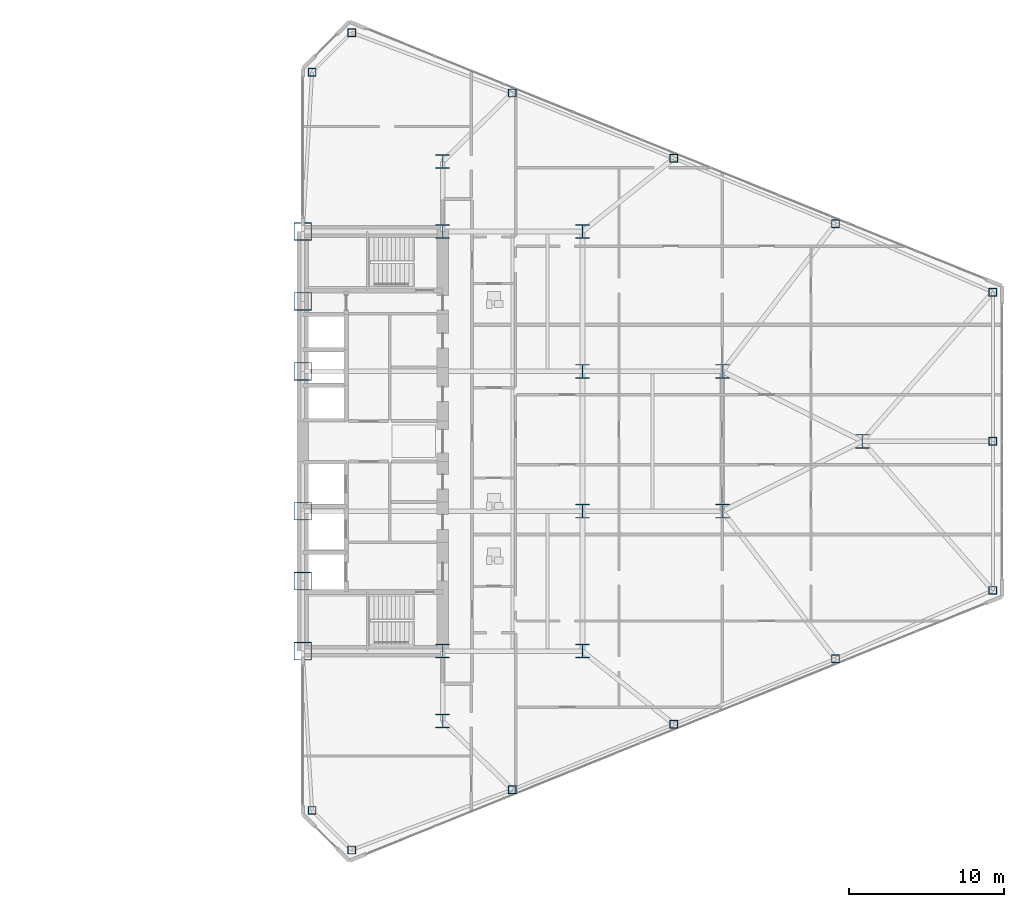
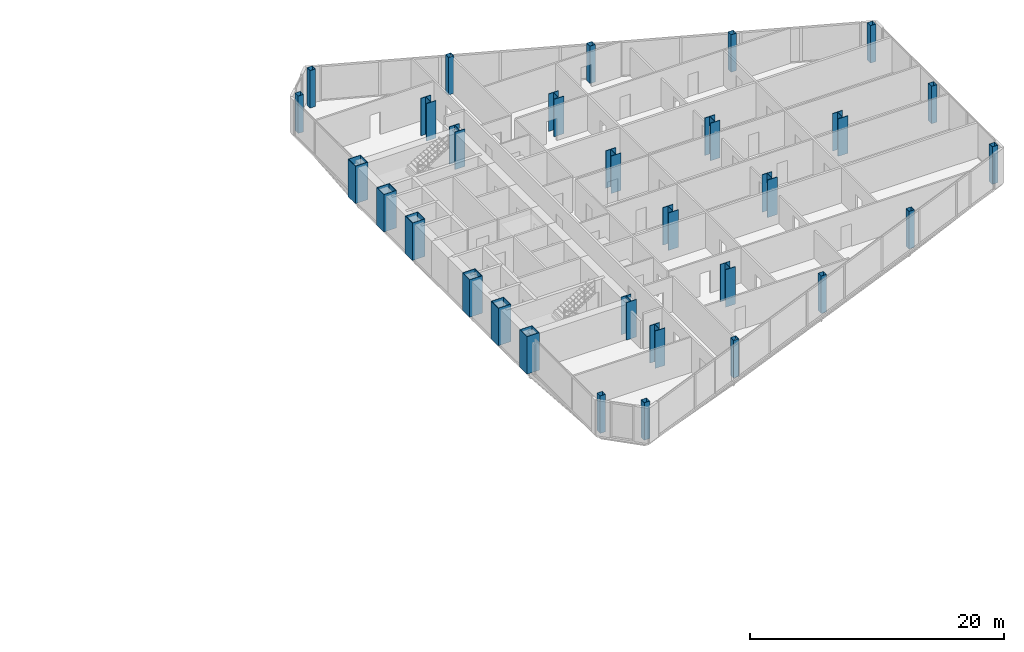
# One storey, part 2 of 25: 30 columns.
"""IFC4 building model written with IfcOpenShell, lengths in metres."""

import ifcopenshell
import ifcopenshell.guid

model = None  # the IFC model being written
_history = None  # IfcOwnerHistory: only IFC2X3 demands one
_inside = {}  # id of a spatial element -> (the spatial element, [elements in it])
_under = {}  # id of a project, library or spatial element -> (it, [spatial elements below it])
_declared = {}  # id of a project -> (the project, [libraries it declares])
_typed = {}  # id of a type object -> (the type object, [elements of that type])
_made_of = {}  # id of a material, layer set ... -> (it, [elements and type objects made of it])


def new_model(schema):
    """Start an empty IFC model of exactly this schema.

    Asked for "IFC4X3", IfcOpenShell would pick the latest addendum, in which some entities
    have other attributes; the version numbers below select the first issue.
    IFC2X3 requires an IfcOwnerHistory on every rooted entity: one is made here for all.
    """
    global model, _history
    if schema == "IFC4X3":
        model = ifcopenshell.file(schema_version=(4, 3, 0, 0))
    else:
        model = ifcopenshell.file(schema=schema)
    _inside.clear()
    _under.clear()
    _declared.clear()
    _typed.clear()
    _made_of.clear()
    _history = None
    if model.schema == "IFC2X3":
        org = make("IfcOrganization", Name="unknown")
        user = make(
            "IfcPersonAndOrganization",
            ThePerson=make("IfcPerson", FamilyName="unknown"),
            TheOrganization=org,
        )
        app = make(
            "IfcApplication",
            ApplicationDeveloper=org,
            Version="unknown",
            ApplicationFullName="unknown",
            ApplicationIdentifier="unknown",
        )
        _history = make(
            "IfcOwnerHistory",
            OwningUser=user,
            OwningApplication=app,
            ChangeAction="ADDED",
            CreationDate=0,
        )
    return model


def make(cls, **values):
    """One entity of the class cls with the attributes given. An attribute that is None is left unset."""
    return model.create_entity(
        cls, **{name: value for name, value in values.items() if value is not None}
    )


def rooted(cls, **values):
    """An entity with a GlobalId (a new one), such as an element, a storey or a relation."""
    return make(cls, GlobalId=ifcopenshell.guid.new(), OwnerHistory=_history, **values)


def si_unit(unit_type, name, prefix=None):
    """IfcSIUnit, for example si_unit("LENGTHUNIT", "METRE", prefix="MILLI")."""
    return make("IfcSIUnit", UnitType=unit_type, Prefix=prefix, Name=name)


def assignment(units):
    """IfcUnitAssignment: the units of a project."""
    return None if units is None else make("IfcUnitAssignment", Units=units)


def point(xyz):
    """IfcCartesianPoint."""
    return None if xyz is None else make("IfcCartesianPoint", Coordinates=xyz)


def direction(xyz):
    """IfcDirection."""
    return None if xyz is None else make("IfcDirection", DirectionRatios=xyz)


def frame(location, z_axis=None, x_axis=None):
    """IfcAxis2Placement3D, a coordinate frame: its origin and axes. An axis left out is left unset."""
    return make(
        "IfcAxis2Placement3D",
        Location=point(location),
        Axis=direction(z_axis),
        RefDirection=direction(x_axis),
    )


def frame_2d(location, x_axis=None):
    """IfcAxis2Placement2D, a coordinate frame in the plane: its origin and x axis."""
    return make(
        "IfcAxis2Placement2D", Location=point(location), RefDirection=direction(x_axis)
    )


def origin():
    """The frame at (0, 0, 0) with its axes left unset."""
    return frame((0.0, 0.0, 0.0))


def origin_2d():
    """The frame at (0, 0) in the plane with its x axis left unset."""
    return frame_2d((0.0, 0.0))


def place(relative_to, where):
    """IfcLocalPlacement: puts the frame where relative to a parent placement (None: the world)."""
    return make(
        "IfcLocalPlacement", PlacementRelTo=relative_to, RelativePlacement=where
    )


def context(
    kind, dimensions, precision=None, world=None, true_north=None, identifier=None
):
    """IfcGeometricRepresentationContext, for example the 3D "Model" context."""
    return make(
        "IfcGeometricRepresentationContext",
        ContextIdentifier=identifier,
        ContextType=kind,
        CoordinateSpaceDimension=dimensions,
        Precision=precision,
        WorldCoordinateSystem=world,
        TrueNorth=true_north,
    )


def subcontext(parent, identifier, kind, view, scale=None):
    """IfcGeometricRepresentationSubContext, for example "Body" below "Model"."""
    return make(
        "IfcGeometricRepresentationSubContext",
        ContextIdentifier=identifier,
        ContextType=kind,
        ParentContext=parent,
        TargetScale=scale,
        TargetView=view,
    )


def project(units=None, contexts=None):
    """IfcProject with its units and contexts."""
    return rooted(
        "IfcProject",
        Name="project",
        RepresentationContexts=contexts,
        UnitsInContext=assignment(units),
    )


def spatial(cls, under=None, at=None, **own):
    """A site, building, storey or space (cls), placed at a placement, below another one or the project."""
    s = rooted(cls, ObjectPlacement=at, **own)
    if under is not None:
        _under.setdefault(under.id(), (under, []))[1].append(s)
    return s


def profile(cls, at=None, kind="AREA", **sizes):
    """A parametric profile (cls). Its sizes go by their IFC names, for example OverallWidth=200.0."""
    return make(cls, ProfileType=kind, Position=at, **sizes)


def hollow_rectangle(**sizes):
    """IfcRectangleHollowProfileDef."""
    return profile("IfcRectangleHollowProfileDef", **sizes)


def i_section(**sizes):
    """IfcIShapeProfileDef."""
    return profile("IfcIShapeProfileDef", **sizes)


def extrude(swept, where, along, depth):
    """IfcExtrudedAreaSolid: the profile swept, set in the frame where, extruded along a direction by depth."""
    return make(
        "IfcExtrudedAreaSolid",
        SweptArea=swept,
        Position=where,
        ExtrudedDirection=direction(along),
        Depth=depth,
    )


def shape(context_of_items, identifier, shape_type, items):
    """IfcShapeRepresentation: the items that make up one representation, for example the "Body"."""
    return make(
        "IfcShapeRepresentation",
        ContextOfItems=context_of_items,
        RepresentationIdentifier=identifier,
        RepresentationType=shape_type,
        Items=items,
    )


def source(mapping_origin, context_of_items, identifier, shape_type, items):
    """IfcRepresentationMap: a shape defined once, which mapped items show again and again."""
    return make(
        "IfcRepresentationMap",
        MappingOrigin=mapping_origin,
        MappedRepresentation=shape(context_of_items, identifier, shape_type, items),
    )


def transform(
    local_origin,
    x_axis=None,
    y_axis=None,
    z_axis=None,
    scale=None,
    scale2=None,
    scale3=None,
    uniform=True,
):
    """IfcCartesianTransformationOperator3D, or its non-uniform kind. x_axis, y_axis, z_axis: its Axis1, 2, 3."""
    if uniform:
        return make(
            "IfcCartesianTransformationOperator3D",
            Axis1=direction(x_axis),
            Axis2=direction(y_axis),
            LocalOrigin=point(local_origin),
            Scale=scale,
            Axis3=direction(z_axis),
        )
    return make(
        "IfcCartesianTransformationOperator3DnonUniform",
        Axis1=direction(x_axis),
        Axis2=direction(y_axis),
        LocalOrigin=point(local_origin),
        Scale=scale,
        Axis3=direction(z_axis),
        Scale2=scale2,
        Scale3=scale3,
    )


def mapped(mapping_source, mapping_target):
    """IfcMappedItem: shows the shape of a source again, moved by a transform."""
    return make(
        "IfcMappedItem", MappingSource=mapping_source, MappingTarget=mapping_target
    )


def material(Name=None, Category=None):
    """IfcMaterial."""
    return make("IfcMaterial", Name=Name, Category=Category)


def material_profile(
    of_material, cross_section, Name=None, Category=None, Priority=None
):
    """IfcMaterialProfile: a cross section and its material."""
    return make(
        "IfcMaterialProfile",
        Name=Name,
        Material=of_material,
        Profile=cross_section,
        Priority=Priority,
        Category=Category,
    )


def profile_set(profiles, Name=None, composite=None):
    """IfcMaterialProfileSet."""
    return make(
        "IfcMaterialProfileSet",
        Name=Name,
        MaterialProfiles=profiles,
        CompositeProfile=composite,
    )


def made_of(thing, what):
    """Note that an element or type object is made of a material, layer set ...; save() writes the relation."""
    if what is not None:
        _made_of.setdefault(what.id(), (what, []))[1].append(thing)
    return thing


def type_object(cls, material=None, **own):
    """A type object (cls), such as IfcWallType, which elements share."""
    return made_of(rooted(cls, **own), material)


def type_shapes(of_type, sources):
    """Give a type object the sources (RepresentationMaps) that its elements show as mapped items."""
    of_type.RepresentationMaps = sources


def element(
    cls,
    number,
    at=None,
    inside=None,
    cuts=None,
    type_object=None,
    material=None,
    context=None,
    identifier="Body",
    shape_type=None,
    held_by="IfcProductDefinitionShape",
    body=None,
    shapes=None,
    **own,
):
    """One element of the class cls, such as IfcWall. Its Tag is "e" and its number.

    at: its placement. inside: the storey or other place that contains it. cuts: it is an
    opening in that element (IfcRelVoidsElement). A single representation is given by context,
    identifier, shape_type and body (its items); several are given by shapes. held_by: the class
    of the entity that holds the representations. save() writes the other relations.
    """
    e = rooted(cls, Tag="e%d" % number, ObjectPlacement=at, **own)
    if body is not None:
        shapes = [shape(context, identifier, shape_type, body)]
    if shapes is not None:
        e.Representation = make(held_by, Representations=shapes)
    if inside is not None:
        _inside.setdefault(inside.id(), (inside, []))[1].append(e)
    if cuts is not None:
        rooted(
            "IfcRelVoidsElement", RelatingBuildingElement=cuts, RelatedOpeningElement=e
        )
    if type_object is not None:
        _typed.setdefault(type_object.id(), (type_object, []))[1].append(e)
    return made_of(e, material)


def aggregate(whole, parts):
    """IfcRelAggregates: a whole, such as a stair, and the parts it consists of."""
    return rooted("IfcRelAggregates", RelatingObject=whole, RelatedObjects=parts)


def save(model, path):
    """Write the relations noted so far, then the file.

    IfcRelAggregates (storeys below a building ...), IfcRelContainedInSpatialStructure (elements
    in a storey), IfcRelDefinesByType, IfcRelAssociatesMaterial and IfcRelDeclares: one each for
    every whole, place, type object, material and project.
    """
    for whole, parts in _under.values():
        aggregate(whole, parts)
    for where, things in _inside.values():
        rooted(
            "IfcRelContainedInSpatialStructure",
            RelatedElements=things,
            RelatingStructure=where,
        )
    for kind, things in _typed.values():
        rooted("IfcRelDefinesByType", RelatedObjects=things, RelatingType=kind)
    for what, things in _made_of.values():
        rooted("IfcRelAssociatesMaterial", RelatedObjects=things, RelatingMaterial=what)
    for by, libraries in _declared.values():
        rooted("IfcRelDeclares", RelatingContext=by, RelatedDefinitions=libraries)
    model.write(path)


model = new_model("IFC4")

# Units and contexts
model_context = context("Model", 3, precision=1e-05, world=origin(), true_north=direction((0.0, 1.0)))
body_context = subcontext(model_context, "Body", "Model", "MODEL_VIEW")
ifc_project = project(units=[si_unit("LENGTHUNIT", "METRE"), si_unit("AREAUNIT", "SQUARE_METRE"), si_unit("VOLUMEUNIT", "CUBIC_METRE"), si_unit("PLANEANGLEUNIT", "RADIAN"), si_unit("MASSUNIT", "GRAM", prefix="KILO")], contexts=[model_context])

# Site, building, storey
site_placement = place(None, origin())
site = spatial("IfcSite", under=ifc_project, at=site_placement, CompositionType="ELEMENT")
building_placement = place(site_placement, origin())
building = spatial("IfcBuilding", under=site, at=building_placement, Name="Seokmaru Belvedere", CompositionType="ELEMENT")
storey_placement = place(building_placement, frame((0.0, 0.0, 29.699951171875)))
storey = spatial("IfcBuildingStorey", under=building, at=storey_placement, Name="L07", CompositionType="ELEMENT", Elevation=29.699951171875)

# Columns
ifc_material_1 = material(Name="Steel HSA650 (650 MPa)", Category="steel")
ifc_material_profile_1 = material_profile(ifc_material_1, hollow_rectangle(XDim=1.14990234375, YDim=1.14990234375, WallThickness=0.048095703125, at=origin_2d()), Name="BOX-1150x1150x48")
ifc_profile_set_1 = profile_set([ifc_material_profile_1], Name="Steel HSA650 (650 MPa)")
column_type_1 = type_object("IfcColumnType", Name="Portal Spine Column BOX-1150", PredefinedType="COLUMN", material=ifc_profile_set_1)
shared_shape_1 = source(origin(), body_context, "Body", "SweptSolid", [
    extrude(hollow_rectangle(XDim=1.14990234375, YDim=1.14990234375, WallThickness=0.048095703125, at=origin_2d()), origin(), (0.0, 0.0, 1.0), 3.60009765625),
])
type_shapes(column_type_1, [shared_shape_1])
for number, where, z_axis, x_axis, name in (
    (1, (27.5, -13.5, 0.0), (0.0, 0.0, 1.0), (1.0, 0.0, 0.0), "L07 Column ES1"),
    (2, (27.5, -9.0, 0.0), (0.0, 0.0, 1.0), (1.0, 0.0, 0.0), "L07 Column ES2"),
    (3, (27.5, -4.5, 0.0), (0.0, 0.0, 1.0), (1.0, 0.0, 0.0), "L07 Column ES3"),
    (4, (27.5, 4.5, 0.0), (0.0, 0.0, 1.0), (1.0, 0.0, 0.0), "L07 Column ES4"),
    (5, (27.5, 9.0, 0.0), (0.0, 0.0, 1.0), (1.0, 0.0, 0.0), "L07 Column ES5"),
    (6, (27.5, 13.5, 0.0), (0.0, 0.0, 1.0), (1.0, 0.0, 0.0), "L07 Column ES6"),
):
    element("IfcColumn", number, at=place(storey_placement, frame(where, z_axis=z_axis, x_axis=x_axis)), inside=storey, type_object=column_type_1, Name=name, PredefinedType="COLUMN", context=body_context, shape_type="MappedRepresentation", body=[
        mapped(shared_shape_1, transform((0.0, 0.0, 0.0), scale=1.0)),
    ])
ifc_material_profile_2 = material_profile(ifc_material_1, i_section(OverallWidth=0.89990234375, OverallDepth=0.89990234375, WebThickness=0.035888671875, FlangeThickness=0.054931640625, at=origin_2d()), Name="H-900x900x36x55")
ifc_profile_set_2 = profile_set([ifc_material_profile_2], Name="Steel HSA650 (650 MPa)")
column_type_2 = type_object("IfcColumnType", Name="Lower Interior Column H-900", PredefinedType="COLUMN", material=ifc_profile_set_2)
shared_shape_2 = source(origin(), body_context, "Body", "SweptSolid", [
    extrude(i_section(OverallWidth=0.89990234375, OverallDepth=0.89990234375, WebThickness=0.035888671875, FlangeThickness=0.054931640625, at=origin_2d()), origin(), (0.0, 0.0, 1.0), 3.60009765625),
])
type_shapes(column_type_2, [shared_shape_2])
for number, where, z_axis, x_axis, name in (
    (7, (36.5, -18.0, 0.0), (0.0, 0.0, 1.0), (1.0, 0.0, 0.0), "L07 Column EC1"),
    (8, (36.5, -13.5, 0.0), (0.0, 0.0, 1.0), (1.0, 0.0, 0.0), "L07 Column EC2"),
    (9, (36.5, 13.5, 0.0), (0.0, 0.0, 1.0), (1.0, 0.0, 0.0), "L07 Column EC3"),
    (10, (36.5, 18.0, 0.0), (0.0, 0.0, 1.0), (1.0, 0.0, 0.0), "L07 Column EC4"),
    (11, (45.5, -13.5, 0.0), (0.0, 0.0, 1.0), (1.0, 0.0, 0.0), "L07 Column EG5_1"),
    (12, (45.5, -4.5, 0.0), (0.0, 0.0, 1.0), (1.0, 0.0, 0.0), "L07 Column EG5_2"),
    (13, (45.5, 4.5, 0.0), (0.0, 0.0, 1.0), (1.0, 0.0, 0.0), "L07 Column EG5_3"),
    (14, (45.5, 13.5, 0.0), (0.0, 0.0, 1.0), (1.0, 0.0, 0.0), "L07 Column EG5_4"),
    (15, (54.5, -4.5, 0.0), (0.0, 0.0, 1.0), (1.0, 0.0, 0.0), "L07 Column EG4P_1"),
    (16, (54.5, 4.5, 0.0), (0.0, 0.0, 1.0), (1.0, 0.0, 0.0), "L07 Column EG4P_2"),
    (17, (63.5, 0.0, 0.0), (0.0, 0.0, 1.0), (1.0, 0.0, 0.0), "L07 Column EG3P_1"),
):
    element("IfcColumn", number, at=place(storey_placement, frame(where, z_axis=z_axis, x_axis=x_axis)), inside=storey, type_object=column_type_2, Name=name, PredefinedType="COLUMN", context=body_context, shape_type="MappedRepresentation", body=[
        mapped(shared_shape_2, transform((0.0, 0.0, 0.0), scale=1.0)),
    ])
ifc_material_2 = material(Name="Steel SM355 (355 MPa)", Category="steel")
ifc_material_profile_3 = material_profile(ifc_material_2, hollow_rectangle(XDim=0.5, YDim=0.5, WallThickness=0.02001953125, at=origin_2d()), Name="HSS-500x500x20")
ifc_profile_set_3 = profile_set([ifc_material_profile_3], Name="Steel SM355 (355 MPa)")
column_type_3 = type_object("IfcColumnType", Name="Perimeter Facet Column HSS-500", PredefinedType="COLUMN", material=ifc_profile_set_3)
shared_shape_3 = source(origin(), body_context, "Body", "SweptSolid", [
    extrude(hollow_rectangle(XDim=0.5, YDim=0.5, WallThickness=0.02001953125, at=origin_2d()), origin(), (0.0, 0.0, 1.0), 3.60009765625),
])
type_shapes(column_type_3, [shared_shape_3])
for number, where, z_axis, x_axis, name in (
    (18, (30.643310546875, -26.294677734375, 0.0), (0.0, 0.0, 1.0), (1.0, 0.0, 0.0), "L07 Column EF1"),
    (19, (71.89990234375, -9.595703125, 0.0), (0.0, 0.0, 1.0), (1.0, 0.0, 0.0), "L07 Column EF2"),
    (20, (71.89990234375, 9.595703125, 0.0), (0.0, 0.0, 1.0), (1.0, 0.0, 0.0), "L07 Column EF3"),
    (21, (30.643310546875, 26.294677734375, 0.0), (0.0, 0.0, 1.0), (1.0, 0.0, 0.0), "L07 Column EF4"),
    (22, (28.10009765625, 23.75146484375, 0.0), (0.0, 0.0, 1.0), (1.0, 0.0, 0.0), "L07 Column EF5"),
    (23, (28.10009765625, -23.75146484375, 0.0), (0.0, 0.0, 1.0), (1.0, 0.0, 0.0), "L07 Column EF6"),
    (24, (40.977294921875, -22.4140625, 0.0), (0.0, 0.0, 1.0), (1.0, 0.0, 0.0), "L07 Column EFLK_S1"),
    (25, (51.378173828125, -18.2041015625, 0.0), (0.0, 0.0, 1.0), (1.0, 0.0, 0.0), "L07 Column EFLK_S2"),
    (26, (61.779052734375, -13.994140625, 0.0), (0.0, 0.0, 1.0), (1.0, 0.0, 0.0), "L07 Column EFLK_S3"),
    (27, (40.977294921875, 22.4140625, 0.0), (0.0, 0.0, 1.0), (1.0, 0.0, 0.0), "L07 Column EFLK_N1"),
    (28, (51.378173828125, 18.2041015625, 0.0), (0.0, 0.0, 1.0), (1.0, 0.0, 0.0), "L07 Column EFLK_N2"),
    (29, (61.779052734375, 13.994140625, 0.0), (0.0, 0.0, 1.0), (1.0, 0.0, 0.0), "L07 Column EFLK_N3"),
    (30, (71.89990234375, 0.0, 0.0), (0.0, 0.0, 1.0), (1.0, 0.0, 0.0), "L07 Column EF_APXM"),
):
    element("IfcColumn", number, at=place(storey_placement, frame(where, z_axis=z_axis, x_axis=x_axis)), inside=storey, type_object=column_type_3, Name=name, PredefinedType="COLUMN", context=body_context, shape_type="MappedRepresentation", body=[
        mapped(shared_shape_3, transform((0.0, 0.0, 0.0), scale=1.0)),
    ])

save(model, "model.ifc")
